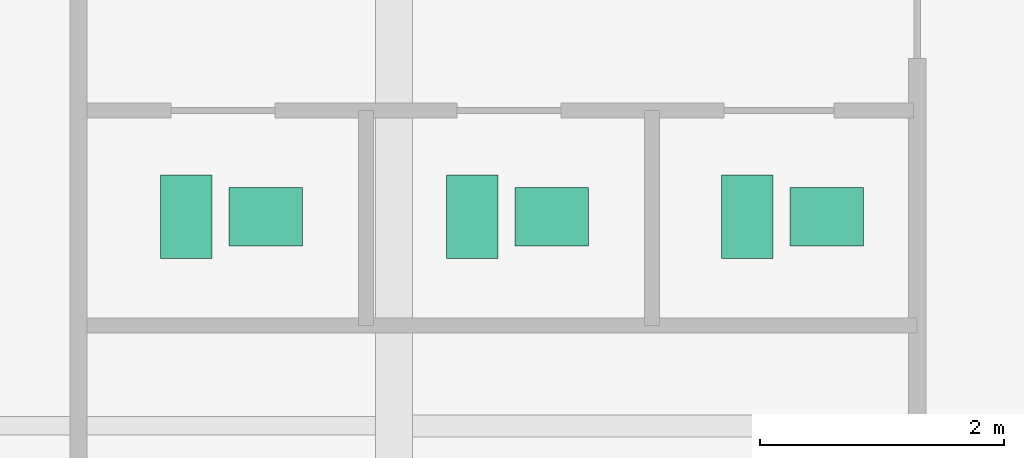
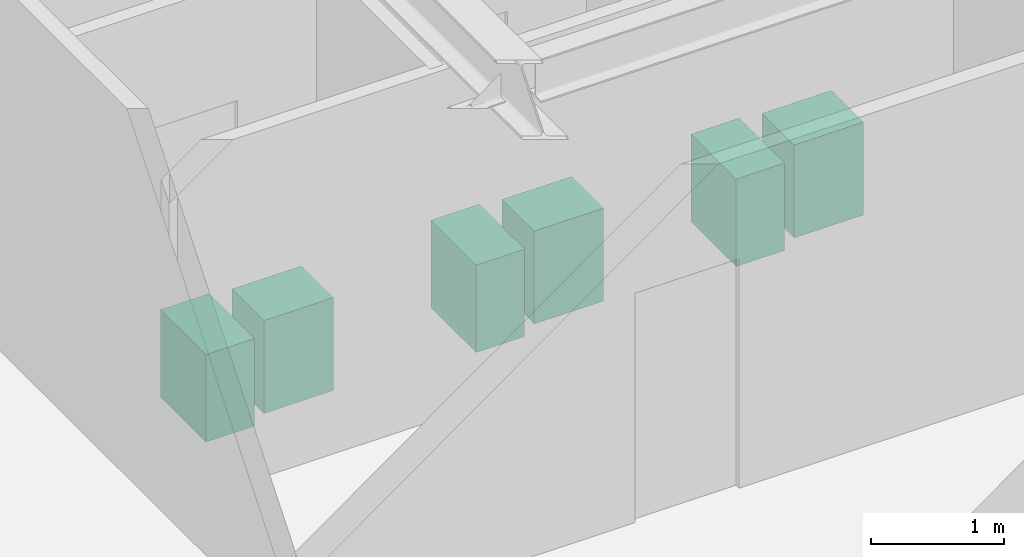
# One storey, part 24 of 24: 6 sanitary terminals.
"""IFC4 building model written with IfcOpenShell, lengths in metres."""

from ifc_helpers import new_model, si_unit, direction, frame, origin, origin_2d, place, context, subcontext, project, spatial, rectangle, extrude, source, transform, mapped, material, type_object, type_shapes, element, save


model = new_model("IFC4")

# Units and contexts
model_context = context("Model", 3, precision=1e-05, world=origin(), true_north=direction((0.0, 1.0)))
body_context = subcontext(model_context, "Body", "Model", "MODEL_VIEW")
ifc_project = project(units=[si_unit("LENGTHUNIT", "METRE"), si_unit("AREAUNIT", "SQUARE_METRE"), si_unit("VOLUMEUNIT", "CUBIC_METRE"), si_unit("PLANEANGLEUNIT", "RADIAN"), si_unit("MASSUNIT", "GRAM", prefix="KILO")], contexts=[model_context])

# Site, building, storey
site_placement = place(None, origin())
site = spatial("IfcSite", under=ifc_project, at=site_placement, CompositionType="ELEMENT")
building_placement = place(site_placement, origin())
building = spatial("IfcBuilding", under=site, at=building_placement, Name="Krantzveldt Concourse Tower", CompositionType="ELEMENT")
storey_placement = place(building_placement, frame((0.0, 0.0, 250.75)))
storey = spatial("IfcBuildingStorey", under=building, at=storey_placement, Name="L61", CompositionType="ELEMENT", Elevation=250.75)

# Sanitary terminals
ifc_material = material(Name="Vitreous china", Category="ceramic")
sanitary_terminal_type_1 = type_object("IfcSanitaryTerminalType", Name="SAN-WC-SUITE", PredefinedType="TOILETPAN", material=ifc_material)
shared_shape_1 = source(origin(), body_context, "Body", "SweptSolid", [
    extrude(rectangle(XDim=0.419921875, YDim=0.679931640625, at=origin_2d()), origin(), (0.0, 0.0, 1.0), 0.800048828125),
])
type_shapes(sanitary_terminal_type_1, [shared_shape_1])
for number, where, z_axis, x_axis, name in (
    (1, (28.89990234375, 31.909912109375, 0.0), (0.0, 0.0, 1.0), (1.0, 0.0, 0.0), "WC-SP-L61-WCM"),
    (2, (31.239990234375, 31.909912109375, 0.0), (0.0, 0.0, 1.0), (1.0, 0.0, 0.0), "WC-SP-L61-WCF"),
    (3, (33.489990234375, 31.909912109375, 0.0), (0.0, 0.0, 1.0), (1.0, 0.0, 0.0), "WC-SP-L61-WCA"),
):
    element("IfcSanitaryTerminal", number, at=place(storey_placement, frame(where, z_axis=z_axis, x_axis=x_axis)), inside=storey, type_object=sanitary_terminal_type_1, Name=name, PredefinedType="TOILETPAN", context=body_context, shape_type="MappedRepresentation", body=[
        mapped(shared_shape_1, transform((0.0, 0.0, 0.0), x_axis=(1.0, 0.0, 0.0), y_axis=(0.0, 1.0, 0.0), z_axis=(0.0, 0.0, 1.0), scale=1.0)),
    ])
sanitary_terminal_type_2 = type_object("IfcSanitaryTerminalType", Name="SAN-BASIN-600", PredefinedType="WASHHANDBASIN", material=ifc_material)
shared_shape_2 = source(origin(), body_context, "Body", "SweptSolid", [
    extrude(rectangle(XDim=0.60009765625, YDim=0.47998046875, at=origin_2d()), origin(), (0.0, 0.0, 1.0), 0.85009765625),
])
type_shapes(sanitary_terminal_type_2, [shared_shape_2])
for number, where, z_axis, x_axis, name in (
    (4, (29.550048828125, 31.909912109375, 0.0048828125), (0.0, 0.0, 1.0), (1.0, 0.0, 0.0), "BSN-SP-L61-WCM"),
    (5, (31.889892578125, 31.909912109375, 0.0048828125), (0.0, 0.0, 1.0), (1.0, 0.0, 0.0), "BSN-SP-L61-WCF"),
    (6, (34.139892578125, 31.909912109375, 0.0048828125), (0.0, 0.0, 1.0), (1.0, 0.0, 0.0), "BSN-SP-L61-WCA"),
):
    element("IfcSanitaryTerminal", number, at=place(storey_placement, frame(where, z_axis=z_axis, x_axis=x_axis)), inside=storey, type_object=sanitary_terminal_type_2, Name=name, PredefinedType="WASHHANDBASIN", context=body_context, shape_type="MappedRepresentation", body=[
        mapped(shared_shape_2, transform((0.0, 0.0, 0.0), x_axis=(1.0, 0.0, 0.0), y_axis=(0.0, 1.0, 0.0), z_axis=(0.0, 0.0, 1.0), scale=1.0)),
    ])

save(model, "model.ifc")
